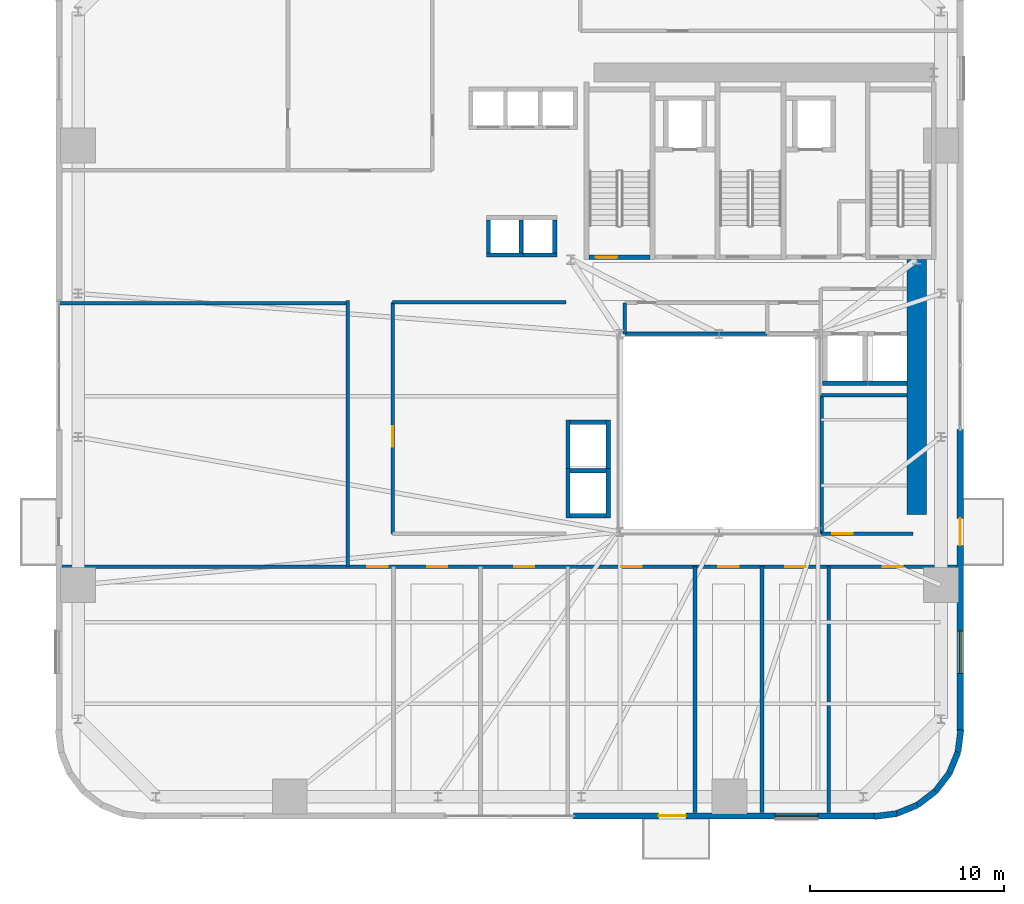
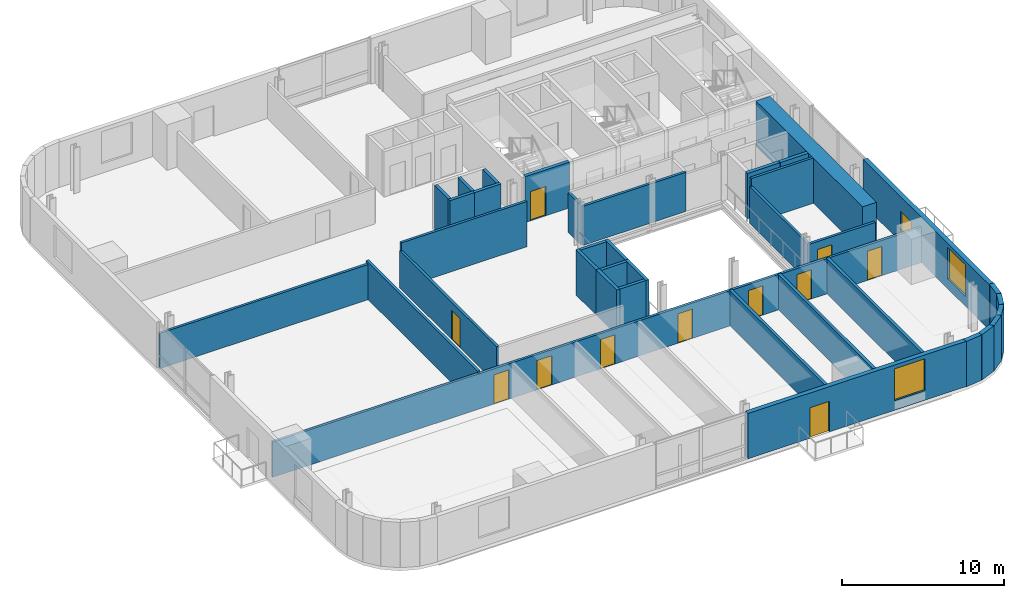
# One storey, part 6 of 13: 37 walls, 12 doors, 2 windows, 14 openings.
"""IFC4 building model written with IfcOpenShell, lengths in metres."""

from ifc_helpers import new_model, si_unit, direction, frame, frame_2d, origin, place, context, subcontext, project, spatial, rectangle, extrude, source, transform, mapped, material, layer, layer_set, type_object, element, fill, save


model = new_model("IFC4")

# Units and contexts
model_context = context("Model", 3, precision=1e-05, world=origin(), true_north=direction((0.0, 1.0)))
body_context = subcontext(model_context, "Body", "Model", "MODEL_VIEW")
ifc_project = project(units=[si_unit("LENGTHUNIT", "METRE"), si_unit("AREAUNIT", "SQUARE_METRE"), si_unit("VOLUMEUNIT", "CUBIC_METRE"), si_unit("PLANEANGLEUNIT", "RADIAN"), si_unit("MASSUNIT", "GRAM", prefix="KILO")], contexts=[model_context])

# Site, building, storey
site_placement = place(None, origin())
site = spatial("IfcSite", under=ifc_project, at=site_placement, CompositionType="ELEMENT")
building_placement = place(site_placement, origin())
building = spatial("IfcBuilding", under=site, at=building_placement, Name="Vardaveli Station Tower", CompositionType="ELEMENT")
storey_placement = place(building_placement, frame((0.0, 0.0, 82.35009765625)))
storey = spatial("IfcBuildingStorey", under=building, at=storey_placement, Name="L21", CompositionType="ELEMENT", Elevation=82.35009765625)

# Wall
ifc_material_1 = material(Name="Concrete C60/75", Category="concrete")
ifc_layer_1 = layer(ifc_material_1, 1.0, Name="Concrete C60/75")
ifc_layer_set_1 = layer_set([ifc_layer_1], Name="Concrete C60/75")
wall_type_1 = type_object("IfcWallType", Name="WAL-CORE-1000", PredefinedType="SHEAR", material=ifc_layer_set_1)
shared_shape_1 = source(origin(), body_context, "Body", "SweptSolid", [
    extrude(rectangle(XDim=13.14990234375, YDim=1.0, at=frame_2d((6.574951171875, 0.0))), origin(), (0.0, 0.0, 1.0), 3.409912109375),
])
wall_1_placement = place(storey_placement, frame((46.5, 17.5, 0.0), z_axis=(0.0, 0.0, 1.0), x_axis=(0.0, 1.0, 0.0)))
element("IfcWall", 1, at=wall_1_placement, inside=storey, type_object=wall_type_1, Name="SW-L21-EAST2", PredefinedType="SHEAR", context=body_context, shape_type="MappedRepresentation", body=[
    mapped(shared_shape_1, transform((0.0, 0.0, 0.0), scale=1.0)),
])

# Wall, openings, door, window
ifc_material_2 = material(Name="Precast concrete C45/55", Category="concrete")
ifc_layer_2 = layer(ifc_material_2, 0.320068359375, Name="Precast concrete C45/55")
ifc_layer_set_2 = layer_set([ifc_layer_2], Name="Precast concrete C45/55")
wall_type_2 = type_object("IfcWallType", Name="WAL-EXT-STONE-320", PredefinedType="SOLIDWALL", material=ifc_layer_set_2)
shared_shape_2 = source(origin(), body_context, "Body", "SweptSolid", [
    extrude(rectangle(XDim=15.599853515625, YDim=0.320068359375, at=frame_2d((7.7998046875, 0.0))), origin(), (0.0, 0.0, 1.0), 3.409912109375),
])
wall_2_placement = place(storey_placement, frame((28.800048828125, 1.9599609375, 0.0), z_axis=(0.0, 0.0, 1.0), x_axis=(1.0, 0.0, 0.0)))
wall_2 = element("IfcWall", 2, at=wall_2_placement, inside=storey, type_object=wall_type_2, Name="EW-L21-S2", PredefinedType="SOLIDWALL", context=body_context, shape_type="MappedRepresentation", body=[
    mapped(shared_shape_2, transform((0.0, 0.0, 0.0), scale=1.0)),
])
shared_shape_3 = source(origin(), body_context, "Body", "SweptSolid", [
    extrude(rectangle(XDim=1.39990234375, YDim=2.300048828125, at=frame_2d((0.699951171875, 1.14990234375))), frame((0.0, 0.169921875, 0.0), z_axis=(0.0, -1.0, 0.0), x_axis=(1.0, 0.0, 0.0)), (0.0, 0.0, 1.0), 0.340087890625),
])
opening_1_placement = place(wall_2_placement, frame((4.3896484375, 0.0, 0.0)))
opening_1 = element("IfcOpeningElement", 3, at=opening_1_placement, cuts=wall_2, Name="Opening D-09", PredefinedType="OPENING", context=body_context, shape_type="MappedRepresentation", body=[
    mapped(shared_shape_3, transform((0.0, 0.0, 0.0), scale=1.0)),
])
shared_shape_4 = source(origin(), body_context, "Body", "SweptSolid", [
    extrude(rectangle(XDim=2.199951171875, YDim=2.39990234375, at=frame_2d((1.10009765625, 1.199951171875))), frame((0.0, 0.169921875, 0.0), z_axis=(0.0, -1.0, 0.0), x_axis=(1.0, 0.0, 0.0)), (0.0, 0.0, 1.0), 0.340087890625),
])
opening_2_placement = place(wall_2_placement, frame((10.39501953125, 0.0, 0.719970703125)))
opening_2 = element("IfcOpeningElement", 4, at=opening_2_placement, cuts=wall_2, Name="Opening W-03", PredefinedType="OPENING", context=body_context, shape_type="MappedRepresentation", body=[
    mapped(shared_shape_4, transform((0.0, 0.0, 0.0), scale=1.0)),
])
ifc_material_3 = material(Name="Thermally broken aluminium glass", Category="aluminium")
door_type_1 = type_object("IfcDoorType", Name="DR-LOG-1400x2300", OperationType="DOUBLE_DOOR_SLIDING", PredefinedType="DOOR", material=ifc_material_3)
shared_shape_5 = source(origin(), body_context, "Body", "SweptSolid", [
    extrude(rectangle(XDim=1.39990234375, YDim=2.300048828125, at=frame_2d((0.699951171875, 1.14990234375))), frame((0.0, 0.02490234375, 0.0), z_axis=(0.0, -1.0, 0.0), x_axis=(1.0, 0.0, 0.0)), (0.0, 0.0, 1.0), 0.050048828125),
])
door_1_placement = place(opening_1_placement, frame((1.39990234375, 0.0, 0.0), z_axis=(0.0, 0.0, 1.0), x_axis=(-1.0, 0.0, 0.0)))
door_1 = element("IfcDoor", 5, at=door_1_placement, inside=storey, type_object=door_type_1, Name="DLG-L21-S", OperationType="DOUBLE_DOOR_SLIDING", OverallHeight=2.300048828125, OverallWidth=1.39990234375, PredefinedType="DOOR", context=body_context, shape_type="MappedRepresentation", body=[
    mapped(shared_shape_5, transform((0.0, 0.0, 0.0), scale=1.0)),
])
fill(opening_1, door_1)
ifc_material_4 = material(Name="Low-E solar-control glass", Category="glass")
window_type = type_object("IfcWindowType", Name="WIN-LOG-2200x2400", PartitioningType="SINGLE_PANEL", PredefinedType="WINDOW", material=ifc_material_4)
shared_shape_6 = source(origin(), body_context, "Body", "SweptSolid", [
    extrude(rectangle(XDim=2.199951171875, YDim=2.39990234375, at=frame_2d((1.10009765625, 1.199951171875))), frame((0.0, 0.030029296875, 0.0), z_axis=(0.0, -1.0, 0.0), x_axis=(1.0, 0.0, 0.0)), (0.0, 0.0, 1.0), 0.06005859375),
])
window_1_placement = place(opening_2_placement, origin())
window_1 = element("IfcWindow", 6, at=window_1_placement, inside=storey, type_object=window_type, Name="WN-L21-S2", OverallHeight=2.39990234375, OverallWidth=2.199951171875, PartitioningType="SINGLE_PANEL", PredefinedType="WINDOW", context=body_context, shape_type="MappedRepresentation", body=[
    mapped(shared_shape_6, transform((0.0, 0.0, 0.0), scale=1.0)),
])
fill(opening_2, window_1)

wall_3_placement = place(storey_placement, frame((48.739990234375, 6.300048828125, 0.0), z_axis=(0.0, 0.0, 1.0), x_axis=(0.0, 1.0, 0.0)))
wall_3 = element("IfcWall", 7, at=wall_3_placement, inside=storey, type_object=wall_type_2, Name="EW-L21-E1", PredefinedType="SOLIDWALL", context=body_context, shape_type="MappedRepresentation", body=[
    mapped(shared_shape_2, transform((0.0, 0.0, 0.0), scale=1.0)),
])
opening_3_placement = place(wall_3_placement, frame((9.6103515625, 0.0, 0.0)))
opening_3 = element("IfcOpeningElement", 8, at=opening_3_placement, cuts=wall_3, Name="Opening D-09", PredefinedType="OPENING", context=body_context, shape_type="MappedRepresentation", body=[
    mapped(shared_shape_3, transform((0.0, 0.0, 0.0), scale=1.0)),
])
opening_4_placement = place(wall_3_placement, frame((3.0048828125, 0.0, 0.719970703125)))
opening_4 = element("IfcOpeningElement", 9, at=opening_4_placement, cuts=wall_3, Name="Opening W-03", PredefinedType="OPENING", context=body_context, shape_type="MappedRepresentation", body=[
    mapped(shared_shape_4, transform((0.0, 0.0, 0.0), scale=1.0)),
])
door_2_placement = place(opening_3_placement, frame((1.39990234375, 0.0, 0.0), z_axis=(0.0, 0.0, 1.0), x_axis=(-1.0, 0.0, 0.0)))
door_2 = element("IfcDoor", 10, at=door_2_placement, inside=storey, type_object=door_type_1, Name="DLG-L21-E", OperationType="DOUBLE_DOOR_SLIDING", OverallHeight=2.300048828125, OverallWidth=1.39990234375, PredefinedType="DOOR", context=body_context, shape_type="MappedRepresentation", body=[
    mapped(shared_shape_5, transform((0.0, 0.0, 0.0), scale=1.0)),
])
fill(opening_3, door_2)
window_2_placement = place(opening_4_placement, origin())
window_2 = element("IfcWindow", 11, at=window_2_placement, inside=storey, type_object=window_type, Name="WN-L21-E1", OverallHeight=2.39990234375, OverallWidth=2.199951171875, PartitioningType="SINGLE_PANEL", PredefinedType="WINDOW", context=body_context, shape_type="MappedRepresentation", body=[
    mapped(shared_shape_6, transform((0.0, 0.0, 0.0), scale=1.0)),
])
fill(opening_4, window_2)

# Walls
shared_shape_7 = source(origin(), body_context, "Body", "SweptSolid", [
    extrude(rectangle(XDim=1.170654296875, YDim=0.320068359375, at=frame_2d((0.58544921875, 0.0))), origin(), (0.0, 0.0, 1.0), 3.409912109375),
])
wall_4_placement = place(storey_placement, frame((48.62548828125, 5.23974609375, 0.0), z_axis=(0.0, 0.0, 1.0), x_axis=(0.128269133229, 0.991739395941, 0.0)))
element("IfcWall", 12, at=wall_4_placement, inside=storey, type_object=wall_type_2, Name="EW-L21-CR2-6", PredefinedType="SOLIDWALL", context=body_context, shape_type="MappedRepresentation", body=[
    mapped(shared_shape_7, transform((0.0, 0.0, 0.0), scale=1.0)),
])
shared_shape_8 = source(origin(), body_context, "Body", "SweptSolid", [
    extrude(rectangle(XDim=1.1689453125, YDim=0.320068359375, at=frame_2d((0.58447265625, 0.0))), origin(), (0.0, 0.0, 1.0), 3.409912109375),
])
for number, where, z_axis, x_axis, name in (
    (13, (47.46875, 3.231201171875, 0.0), (0.0, 0.0, 1.0), (0.608387696831, 0.793639975269, 0.0), "EW-L21-CR2-4"),
    (14, (48.179931640625, 4.158935546875, 0.0), (0.0, 0.0, 1.0), (0.381127904695, 0.924522320046, 0.0), "EW-L21-CR2-5"),
):
    element("IfcWall", number, at=place(storey_placement, frame(where, z_axis=z_axis, x_axis=x_axis)), inside=storey, type_object=wall_type_2, Name=name, PredefinedType="SOLIDWALL", context=body_context, shape_type="MappedRepresentation", body=[
        mapped(shared_shape_8, transform((0.0, 0.0, 0.0), scale=1.0)),
    ])
shared_shape_9 = source(origin(), body_context, "Body", "SweptSolid", [
    extrude(rectangle(XDim=1.168701171875, YDim=0.320068359375, at=frame_2d((0.58447265625, 0.0))), origin(), (0.0, 0.0, 1.0), 3.409912109375),
])
wall_5_placement = place(storey_placement, frame((46.541259765625, 2.520263671875, 0.0), z_axis=(0.0, 0.0, 1.0), x_axis=(0.793663520347, 0.608356981114, 0.0)))
element("IfcWall", 15, at=wall_5_placement, inside=storey, type_object=wall_type_2, Name="EW-L21-CR2-3", PredefinedType="SOLIDWALL", context=body_context, shape_type="MappedRepresentation", body=[
    mapped(shared_shape_9, transform((0.0, 0.0, 0.0), scale=1.0)),
])
shared_shape_10 = source(origin(), body_context, "Body", "SweptSolid", [
    extrude(rectangle(XDim=1.16943359375, YDim=0.320068359375, at=frame_2d((0.584716796875, 0.0))), origin(), (0.0, 0.0, 1.0), 3.409912109375),
])
wall_6_placement = place(storey_placement, frame((45.460205078125, 2.074462890625, 0.0), z_axis=(0.0, 0.0, 1.0), x_axis=(0.924479075121, 0.381232789334, 0.0)))
element("IfcWall", 16, at=wall_6_placement, inside=storey, type_object=wall_type_2, Name="EW-L21-CR2-2", PredefinedType="SOLIDWALL", context=body_context, shape_type="MappedRepresentation", body=[
    mapped(shared_shape_10, transform((0.0, 0.0, 0.0), scale=1.0)),
])
shared_shape_11 = source(origin(), body_context, "Body", "SweptSolid", [
    extrude(rectangle(XDim=1.170166015625, YDim=0.320068359375, at=frame_2d((0.5849609375, 0.0))), origin(), (0.0, 0.0, 1.0), 3.409912109375),
])
wall_7_placement = place(storey_placement, frame((44.299560546875, 1.924560546875, 0.0), z_axis=(0.0, 0.0, 1.0), x_axis=(0.991762485493, 0.128090485085, 0.0)))
element("IfcWall", 17, at=wall_7_placement, inside=storey, type_object=wall_type_2, Name="EW-L21-CR2-1", PredefinedType="SOLIDWALL", context=body_context, shape_type="MappedRepresentation", body=[
    mapped(shared_shape_11, transform((0.0, 0.0, 0.0), scale=1.0)),
])

# Wall, opening, door
ifc_material_5 = material(Name="Concrete C40/50", Category="concrete")
ifc_layer_3 = layer(ifc_material_5, 0.25, Name="Concrete C40/50")
ifc_layer_set_3 = layer_set([ifc_layer_3], Name="Concrete C40/50")
wall_type_3 = type_object("IfcWallType", Name="WAL-SHAFT-250", PredefinedType="SOLIDWALL", material=ifc_layer_set_3)
shared_shape_12 = source(origin(), body_context, "Body", "SweptSolid", [
    extrude(rectangle(XDim=3.14990234375, YDim=0.25, at=frame_2d((1.574951171875, 0.0))), origin(), (0.0, 0.0, 1.0), 3.449951171875),
])
wall_8_placement = place(storey_placement, frame((29.60009765625, 30.77490234375, 0.0), z_axis=(0.0, 0.0, 1.0), x_axis=(1.0, 0.0, 0.0)))
wall_8 = element("IfcWall", 18, at=wall_8_placement, inside=storey, type_object=wall_type_3, Name="W-L21-ST-1S", PredefinedType="SOLIDWALL", context=body_context, shape_type="MappedRepresentation", body=[
    mapped(shared_shape_12, transform((0.0, 0.0, 0.0), scale=1.0)),
])
shared_shape_13 = source(origin(), body_context, "Body", "SweptSolid", [
    extrude(rectangle(XDim=1.10009765625, YDim=2.199951171875, at=frame_2d((0.550048828125, 1.10009765625))), frame((0.0, 0.135009765625, 0.0), z_axis=(0.0, -1.0, 0.0), x_axis=(1.0, 0.0, 0.0)), (0.0, 0.0, 1.0), 0.27001953125),
])
opening_5_placement = place(wall_8_placement, frame((0.35009765625, 0.0, 0.0)))
opening_5 = element("IfcOpeningElement", 19, at=opening_5_placement, cuts=wall_8, Name="Opening D-04", PredefinedType="OPENING", context=body_context, shape_type="MappedRepresentation", body=[
    mapped(shared_shape_13, transform((0.0, 0.0, 0.0), scale=1.0)),
])
ifc_material_6 = material(Name="Steel smokeproof fire doorset", Category="steel")
door_type_2 = type_object("IfcDoorType", Name="DR-ST-1100x2200", OperationType="NOTDEFINED", PredefinedType="DOOR", material=ifc_material_6)
shared_shape_14 = source(origin(), body_context, "Body", "SweptSolid", [
    extrude(rectangle(XDim=1.10009765625, YDim=2.199951171875, at=frame_2d((0.550048828125, 1.10009765625))), frame((0.0, 0.02490234375, 0.0), z_axis=(0.0, -1.0, 0.0), x_axis=(1.0, 0.0, 0.0)), (0.0, 0.0, 1.0), 0.050048828125),
])
door_3_placement = place(opening_5_placement, origin())
door_3 = element("IfcDoor", 20, at=door_3_placement, inside=storey, type_object=door_type_2, Name="DST-1-L21", OperationType="SINGLE_SWING_LEFT", OverallHeight=2.199951171875, OverallWidth=1.10009765625, PredefinedType="DOOR", context=body_context, shape_type="MappedRepresentation", body=[
    mapped(shared_shape_14, transform((0.0, 0.0, 0.0), scale=1.0)),
])
fill(opening_5, door_3)

# Walls
ifc_layer_4 = layer(ifc_material_5, 0.219970703125, Name="Concrete C40/50")
ifc_layer_set_4 = layer_set([ifc_layer_4], Name="Concrete C40/50")
wall_type_4 = type_object("IfcWallType", Name="WAL-FFLOBBY-220", PredefinedType="SOLIDWALL", material=ifc_layer_set_4)
shared_shape_15 = source(origin(), body_context, "Body", "SweptSolid", [
    extrude(rectangle(XDim=1.89013671875, YDim=0.219970703125, at=frame_2d((0.945068359375, 0.0))), origin(), (0.0, 0.0, 1.0), 3.409912109375),
])
for number, where, z_axis, x_axis, name in (
    (21, (24.304931640625, 30.889892578125, 0.0), (0.0, 0.0, 1.0), (1.0, 0.0, 0.0), "SHW-SHU-01-L21-S"),
    (22, (26.054931640625, 30.889892578125, 0.0), (0.0, 0.0, 1.0), (1.0, 0.0, 0.0), "SHW-SHU-02-L21-S"),
):
    element("IfcWall", number, at=place(storey_placement, frame(where, z_axis=z_axis, x_axis=x_axis)), inside=storey, type_object=wall_type_4, Name=name, PredefinedType="SOLIDWALL", context=body_context, shape_type="MappedRepresentation", body=[
        mapped(shared_shape_15, transform((0.0, 0.0, 0.0), scale=1.0)),
    ])
shared_shape_16 = source(origin(), body_context, "Body", "SweptSolid", [
    extrude(rectangle(XDim=1.699951171875, YDim=0.219970703125, at=frame_2d((0.85009765625, 0.0))), origin(), (0.0, 0.0, 1.0), 3.409912109375),
])
for number, where, z_axis, x_axis, name in (
    (23, (24.4150390625, 31.0, 0.0), (0.0, 0.0, 1.0), (0.0, 1.0, 0.0), "SHW-SHU-01-L21-W"),
    (24, (26.0849609375, 31.0, 0.0), (0.0, 0.0, 1.0), (0.0, 1.0, 0.0), "SHW-SHU-01-L21-E"),
    (25, (27.8349609375, 31.0, 0.0), (0.0, 0.0, 1.0), (0.0, 1.0, 0.0), "SHW-SHU-02-L21-E"),
):
    element("IfcWall", number, at=place(storey_placement, frame(where, z_axis=z_axis, x_axis=x_axis)), inside=storey, type_object=wall_type_4, Name=name, PredefinedType="SOLIDWALL", context=body_context, shape_type="MappedRepresentation", body=[
        mapped(shared_shape_16, transform((0.0, 0.0, 0.0), scale=1.0)),
    ])
shared_shape_17 = source(origin(), body_context, "Body", "SweptSolid", [
    extrude(rectangle(XDim=1.85009765625, YDim=0.219970703125, at=frame_2d((0.925048828125, 0.0))), origin(), (0.0, 0.0, 1.0), 3.409912109375),
])
for number, where, z_axis, x_axis, name in (
    (26, (28.625, 17.43994140625, 0.0), (0.0, 0.0, 1.0), (1.0, 0.0, 0.0), "SHW-OBS-01-L21-S"),
    (27, (28.625, 19.760009765625, 0.0), (0.0, 0.0, 1.0), (1.0, 0.0, 0.0), "SHW-OBS-01-L21-N"),
    (28, (28.625, 22.260009765625, 0.0), (0.0, 0.0, 1.0), (1.0, 0.0, 0.0), "SHW-OBS-02-L21-N"),
):
    element("IfcWall", number, at=place(storey_placement, frame(where, z_axis=z_axis, x_axis=x_axis)), inside=storey, type_object=wall_type_4, Name=name, PredefinedType="SOLIDWALL", context=body_context, shape_type="MappedRepresentation", body=[
        mapped(shared_shape_17, transform((0.0, 0.0, 0.0), scale=1.0)),
    ])
shared_shape_18 = source(origin(), body_context, "Body", "SweptSolid", [
    extrude(rectangle(XDim=2.5400390625, YDim=0.219970703125, at=frame_2d((1.27001953125, 0.0))), origin(), (0.0, 0.0, 1.0), 3.409912109375),
])
for number, where, z_axis, x_axis, name in (
    (29, (28.514892578125, 17.330078125, 0.0), (0.0, 0.0, 1.0), (0.0, 1.0, 0.0), "SHW-OBS-01-L21-W"),
    (30, (30.5849609375, 17.330078125, 0.0), (0.0, 0.0, 1.0), (0.0, 1.0, 0.0), "SHW-OBS-01-L21-E"),
    (31, (28.514892578125, 19.830078125, 0.0), (0.0, 0.0, 1.0), (0.0, 1.0, 0.0), "SHW-OBS-02-L21-W"),
    (32, (30.5849609375, 19.830078125, 0.0), (0.0, 0.0, 1.0), (0.0, 1.0, 0.0), "SHW-OBS-02-L21-E"),
):
    element("IfcWall", number, at=place(storey_placement, frame(where, z_axis=z_axis, x_axis=x_axis)), inside=storey, type_object=wall_type_4, Name=name, PredefinedType="SOLIDWALL", context=body_context, shape_type="MappedRepresentation", body=[
        mapped(shared_shape_18, transform((0.0, 0.0, 0.0), scale=1.0)),
    ])
shared_shape_19 = source(origin(), body_context, "Body", "SweptSolid", [
    extrude(rectangle(XDim=2.300048828125, YDim=0.25, at=frame_2d((1.14990234375, 0.0))), origin(), (0.0, 0.0, 1.0), 3.409912109375),
])
wall_9_placement = place(storey_placement, frame((41.64990234375, 24.27490234375, 0.0), z_axis=(0.0, 0.0, 1.0), x_axis=(1.0, 0.0, 0.0)))
element("IfcWall", 33, at=wall_9_placement, inside=storey, type_object=wall_type_3, Name="SHW-SRV-01-L21-S", PredefinedType="SOLIDWALL", context=body_context, shape_type="MappedRepresentation", body=[
    mapped(shared_shape_19, transform((0.0, 0.0, 0.0), scale=1.0)),
])
shared_shape_20 = source(origin(), body_context, "Body", "SweptSolid", [
    extrude(rectangle(XDim=2.0, YDim=0.25, at=frame_2d((1.0, 0.0))), origin(), (0.0, 0.0, 1.0), 3.409912109375),
])
wall_10_placement = place(storey_placement, frame((44.0, 24.27490234375, 0.0), z_axis=(0.0, 0.0, 1.0), x_axis=(1.0, 0.0, 0.0)))
element("IfcWall", 34, at=wall_10_placement, inside=storey, type_object=wall_type_3, Name="SHW-SRV-02-L21-S", PredefinedType="SOLIDWALL", context=body_context, shape_type="MappedRepresentation", body=[
    mapped(shared_shape_20, transform((0.0, 0.0, 0.0), scale=1.0)),
])

# Wall, openings, doors
ifc_material_7 = material(Name="Fire-rated gypsum stud partition")
ifc_layer_5 = layer(ifc_material_7, 0.179931640625, Name="Fire-rated gypsum stud partition")
ifc_layer_set_5 = layer_set([ifc_layer_5], Name="Fire-rated gypsum stud partition")
wall_type_5 = type_object("IfcWallType", Name="WAL-CORR-180", PredefinedType="PARTITIONING", material=ifc_layer_set_5)
shared_shape_21 = source(origin(), body_context, "Body", "SweptSolid", [
    extrude(rectangle(XDim=46.15576171875, YDim=0.179931640625, at=frame_2d((23.077880859375, 0.0))), origin(), (0.0, 0.0, 1.0), 2.65185546875),
])
wall_11_placement = place(storey_placement, frame((2.422119140625, 14.81005859375, 0.0), z_axis=(0.0, 0.0, 1.0), x_axis=(1.0, 0.0, 0.0)))
wall_11 = element("IfcWall", 35, at=wall_11_placement, inside=storey, type_object=wall_type_5, Name="W-L21-CS", PredefinedType="PARTITIONING", context=body_context, shape_type="MappedRepresentation", body=[
    mapped(shared_shape_21, transform((0.0, 0.0, 0.0), scale=1.0)),
])
shared_shape_22 = source(origin(), body_context, "Body", "SweptSolid", [
    extrude(rectangle(XDim=1.050048828125, YDim=2.199951171875, at=frame_2d((0.52490234375, 1.10009765625))), frame((0.0, 0.10009765625, 0.0), z_axis=(0.0, -1.0, 0.0), x_axis=(1.0, 0.0, 0.0)), (0.0, 0.0, 1.0), 0.199951171875),
])
opening_6_placement = place(wall_11_placement, frame((15.748046875, 0.0, 0.0)))
opening_6 = element("IfcOpeningElement", 36, at=opening_6_placement, cuts=wall_11, Name="Opening D-05", PredefinedType="OPENING", context=body_context, shape_type="MappedRepresentation", body=[
    mapped(shared_shape_22, transform((0.0, 0.0, 0.0), scale=1.0)),
])
opening_7_placement = place(wall_11_placement, frame((18.822509765625, 0.0, 0.0)))
opening_7 = element("IfcOpeningElement", 37, at=opening_7_placement, cuts=wall_11, Name="Opening D-05", PredefinedType="OPENING", context=body_context, shape_type="MappedRepresentation", body=[
    mapped(shared_shape_22, transform((0.0, 0.0, 0.0), scale=1.0)),
])
opening_8_placement = place(wall_11_placement, frame((23.311279296875, 0.0, 0.0)))
opening_8 = element("IfcOpeningElement", 38, at=opening_8_placement, cuts=wall_11, Name="Opening D-05", PredefinedType="OPENING", context=body_context, shape_type="MappedRepresentation", body=[
    mapped(shared_shape_22, transform((0.0, 0.0, 0.0), scale=1.0)),
])
opening_9_placement = place(wall_11_placement, frame((28.839111328125, 0.0, 0.0)))
opening_9 = element("IfcOpeningElement", 39, at=opening_9_placement, cuts=wall_11, Name="Opening D-05", PredefinedType="OPENING", context=body_context, shape_type="MappedRepresentation", body=[
    mapped(shared_shape_22, transform((0.0, 0.0, 0.0), scale=1.0)),
])
opening_10_placement = place(wall_11_placement, frame((33.847412109375, 0.0, 0.0)))
opening_10 = element("IfcOpeningElement", 40, at=opening_10_placement, cuts=wall_11, Name="Opening D-05", PredefinedType="OPENING", context=body_context, shape_type="MappedRepresentation", body=[
    mapped(shared_shape_22, transform((0.0, 0.0, 0.0), scale=1.0)),
])
opening_11_placement = place(wall_11_placement, frame((37.29736328125, 0.0, 0.0)))
opening_11 = element("IfcOpeningElement", 41, at=opening_11_placement, cuts=wall_11, Name="Opening D-05", PredefinedType="OPENING", context=body_context, shape_type="MappedRepresentation", body=[
    mapped(shared_shape_22, transform((0.0, 0.0, 0.0), scale=1.0)),
])
opening_12_placement = place(wall_11_placement, frame((42.315185546875, 0.0, 0.0)))
opening_12 = element("IfcOpeningElement", 42, at=opening_12_placement, cuts=wall_11, Name="Opening D-05", PredefinedType="OPENING", context=body_context, shape_type="MappedRepresentation", body=[
    mapped(shared_shape_22, transform((0.0, 0.0, 0.0), scale=1.0)),
])
ifc_material_8 = material(Name="Walnut veneer acoustic fire door")
door_type_3 = type_object("IfcDoorType", Name="DR-SUITE-1050x2200", OperationType="NOTDEFINED", PredefinedType="DOOR", material=ifc_material_8)
shared_shape_23 = source(origin(), body_context, "Body", "SweptSolid", [
    extrude(rectangle(XDim=1.050048828125, YDim=2.199951171875, at=frame_2d((0.52490234375, 1.10009765625))), frame((0.0, 0.02490234375, 0.0), z_axis=(0.0, -1.0, 0.0), x_axis=(1.0, 0.0, 0.0)), (0.0, 0.0, 1.0), 0.050048828125),
])
door_4_placement = place(opening_6_placement, origin())
door_4 = element("IfcDoor", 43, at=door_4_placement, inside=storey, type_object=door_type_3, Name="D-L21-SA1", OperationType="SINGLE_SWING_RIGHT", OverallHeight=2.199951171875, OverallWidth=1.050048828125, PredefinedType="DOOR", context=body_context, shape_type="MappedRepresentation", body=[
    mapped(shared_shape_23, transform((0.0, 0.0, 0.0), scale=1.0)),
])
fill(opening_6, door_4)
door_5_placement = place(opening_7_placement, origin())
door_5 = element("IfcDoor", 44, at=door_5_placement, inside=storey, type_object=door_type_3, Name="D-L21-SA2", OperationType="SINGLE_SWING_LEFT", OverallHeight=2.199951171875, OverallWidth=1.050048828125, PredefinedType="DOOR", context=body_context, shape_type="MappedRepresentation", body=[
    mapped(shared_shape_23, transform((0.0, 0.0, 0.0), scale=1.0)),
])
fill(opening_7, door_5)
door_6_placement = place(opening_8_placement, origin())
door_6 = element("IfcDoor", 45, at=door_6_placement, inside=storey, type_object=door_type_3, Name="D-L21-SA3", OperationType="SINGLE_SWING_RIGHT", OverallHeight=2.199951171875, OverallWidth=1.050048828125, PredefinedType="DOOR", context=body_context, shape_type="MappedRepresentation", body=[
    mapped(shared_shape_23, transform((0.0, 0.0, 0.0), scale=1.0)),
])
fill(opening_8, door_6)
door_7_placement = place(opening_9_placement, origin())
door_7 = element("IfcDoor", 46, at=door_7_placement, inside=storey, type_object=door_type_3, Name="D-L21-SA4", OperationType="SINGLE_SWING_LEFT", OverallHeight=2.199951171875, OverallWidth=1.050048828125, PredefinedType="DOOR", context=body_context, shape_type="MappedRepresentation", body=[
    mapped(shared_shape_23, transform((0.0, 0.0, 0.0), scale=1.0)),
])
fill(opening_9, door_7)
door_8_placement = place(opening_10_placement, origin())
door_8 = element("IfcDoor", 47, at=door_8_placement, inside=storey, type_object=door_type_3, Name="D-L21-SA5", OperationType="SINGLE_SWING_RIGHT", OverallHeight=2.199951171875, OverallWidth=1.050048828125, PredefinedType="DOOR", context=body_context, shape_type="MappedRepresentation", body=[
    mapped(shared_shape_23, transform((0.0, 0.0, 0.0), scale=1.0)),
])
fill(opening_10, door_8)
door_9_placement = place(opening_11_placement, origin())
door_9 = element("IfcDoor", 48, at=door_9_placement, inside=storey, type_object=door_type_3, Name="D-L21-SA6", OperationType="SINGLE_SWING_LEFT", OverallHeight=2.199951171875, OverallWidth=1.050048828125, PredefinedType="DOOR", context=body_context, shape_type="MappedRepresentation", body=[
    mapped(shared_shape_23, transform((0.0, 0.0, 0.0), scale=1.0)),
])
fill(opening_11, door_9)
door_10_placement = place(opening_12_placement, origin())
door_10 = element("IfcDoor", 49, at=door_10_placement, inside=storey, type_object=door_type_3, Name="D-L21-SA7", OperationType="SINGLE_SWING_RIGHT", OverallHeight=2.199951171875, OverallWidth=1.050048828125, PredefinedType="DOOR", context=body_context, shape_type="MappedRepresentation", body=[
    mapped(shared_shape_23, transform((0.0, 0.0, 0.0), scale=1.0)),
])
fill(opening_12, door_10)

# Wall, opening, door
shared_shape_24 = source(origin(), body_context, "Body", "SweptSolid", [
    extrude(rectangle(XDim=11.93994140625, YDim=0.179931640625, at=frame_2d((5.969970703125, 0.0))), origin(), (0.0, 0.0, 1.0), 2.802001953125),
])
wall_12_placement = place(storey_placement, frame((19.469970703125, 16.5, 0.0), z_axis=(0.0, 0.0, 1.0), x_axis=(0.0, 1.0, 0.0)))
wall_12 = element("IfcWall", 50, at=wall_12_placement, inside=storey, type_object=wall_type_5, Name="W-L21-ATW-W", PredefinedType="PARTITIONING", context=body_context, shape_type="MappedRepresentation", body=[
    mapped(shared_shape_24, transform((0.0, 0.0, 0.0), scale=1.0)),
])
opening_13_placement = place(wall_12_placement, frame((4.5, 0.0, 0.0)))
opening_13 = element("IfcOpeningElement", 51, at=opening_13_placement, cuts=wall_12, Name="Opening D-05", PredefinedType="OPENING", context=body_context, shape_type="MappedRepresentation", body=[
    mapped(shared_shape_22, transform((0.0, 0.0, 0.0), scale=1.0)),
])
door_11_placement = place(opening_13_placement, origin())
door_11 = element("IfcDoor", 52, at=door_11_placement, inside=storey, type_object=door_type_3, Name="D-L21-ATW1", OperationType="SINGLE_SWING_LEFT", OverallHeight=2.199951171875, OverallWidth=1.050048828125, PredefinedType="DOOR", context=body_context, shape_type="MappedRepresentation", body=[
    mapped(shared_shape_23, transform((0.0, 0.0, 0.0), scale=1.0)),
])
fill(opening_13, door_11)

shared_shape_25 = source(origin(), body_context, "Body", "SweptSolid", [
    extrude(rectangle(XDim=4.699951171875, YDim=0.179931640625, at=frame_2d((2.35009765625, 0.0))), origin(), (0.0, 0.0, 1.0), 2.802001953125),
])
wall_13_placement = place(storey_placement, frame((41.60009765625, 16.5, 0.0), z_axis=(0.0, 0.0, 1.0), x_axis=(1.0, 0.0, 0.0)))
wall_13 = element("IfcWall", 53, at=wall_13_placement, inside=storey, type_object=wall_type_5, Name="W-L21-ATE-S", PredefinedType="PARTITIONING", context=body_context, shape_type="MappedRepresentation", body=[
    mapped(shared_shape_25, transform((0.0, 0.0, 0.0), scale=1.0)),
])
opening_14_placement = place(wall_13_placement, frame((0.550048828125, 0.0, 0.0)))
opening_14 = element("IfcOpeningElement", 54, at=opening_14_placement, cuts=wall_13, Name="Opening D-05", PredefinedType="OPENING", context=body_context, shape_type="MappedRepresentation", body=[
    mapped(shared_shape_22, transform((0.0, 0.0, 0.0), scale=1.0)),
])
door_12_placement = place(opening_14_placement, origin())
door_12 = element("IfcDoor", 55, at=door_12_placement, inside=storey, type_object=door_type_3, Name="D-L21-ATE1", OperationType="SINGLE_SWING_RIGHT", OverallHeight=2.199951171875, OverallWidth=1.050048828125, PredefinedType="DOOR", context=body_context, shape_type="MappedRepresentation", body=[
    mapped(shared_shape_23, transform((0.0, 0.0, 0.0), scale=1.0)),
])
fill(opening_14, door_12)

# Walls
shared_shape_26 = source(origin(), body_context, "Body", "SweptSolid", [
    extrude(rectangle(XDim=7.330078125, YDim=0.179931640625, at=frame_2d((3.6650390625, 0.0))), origin(), (0.0, 0.0, 1.0), 2.951904296875),
])
wall_14_placement = place(storey_placement, frame((31.449951171875, 26.820068359375, 0.0), z_axis=(0.0, 0.0, 1.0), x_axis=(1.0, 0.0, 0.0)))
element("IfcWall", 56, at=wall_14_placement, inside=storey, type_object=wall_type_5, Name="W-L21-HKP0-S", PredefinedType="PARTITIONING", context=body_context, shape_type="MappedRepresentation", body=[
    mapped(shared_shape_26, transform((0.0, 0.0, 0.0), scale=1.0)),
])
shared_shape_27 = source(origin(), body_context, "Body", "SweptSolid", [
    extrude(rectangle(XDim=7.14990234375, YDim=0.179931640625, at=frame_2d((3.574951171875, 0.0))), origin(), (0.0, 0.0, 1.0), 2.802001953125),
])
wall_15_placement = place(storey_placement, frame((41.60009765625, 16.5, 0.0), z_axis=(0.0, 0.0, 1.0), x_axis=(0.0, 1.0, 0.0)))
element("IfcWall", 57, at=wall_15_placement, inside=storey, type_object=wall_type_5, Name="W-L21-ATE-W", PredefinedType="PARTITIONING", context=body_context, shape_type="MappedRepresentation", body=[
    mapped(shared_shape_27, transform((0.0, 0.0, 0.0), scale=1.0)),
])
shared_shape_28 = source(origin(), body_context, "Body", "SweptSolid", [
    extrude(rectangle(XDim=4.39794921875, YDim=0.179931640625, at=frame_2d((2.198974609375, 0.0))), origin(), (0.0, 0.0, 1.0), 3.409912109375),
])
wall_16_placement = place(storey_placement, frame((41.60009765625, 23.64990234375, 0.0), z_axis=(0.0, 0.0, 1.0), x_axis=(1.0, 0.0, 0.0)))
element("IfcWall", 58, at=wall_16_placement, inside=storey, type_object=wall_type_5, Name="W-L21-ATE-N", PredefinedType="PARTITIONING", context=body_context, shape_type="MappedRepresentation", body=[
    mapped(shared_shape_28, transform((0.0, 0.0, 0.0), scale=1.0)),
])
shared_shape_29 = source(origin(), body_context, "Body", "SweptSolid", [
    extrude(rectangle(XDim=1.599853515625, YDim=0.179931640625, at=frame_2d((0.7998046875, 0.0))), origin(), (0.0, 0.0, 1.0), 2.951904296875),
])
wall_17_placement = place(storey_placement, frame((31.449951171875, 26.820068359375, 0.0), z_axis=(0.0, 0.0, 1.0), x_axis=(0.0, 1.0, 0.0)))
element("IfcWall", 59, at=wall_17_placement, inside=storey, type_object=wall_type_5, Name="W-L21-HKP0-W", PredefinedType="PARTITIONING", context=body_context, shape_type="MappedRepresentation", body=[
    mapped(shared_shape_29, transform((0.0, 0.0, 0.0), scale=1.0)),
])
shared_shape_30 = source(origin(), body_context, "Body", "SweptSolid", [
    extrude(rectangle(XDim=14.919921875, YDim=0.179931640625, at=frame_2d((7.4599609375, 0.0))), origin(), (0.0, 0.0, 1.0), 2.65185546875),
])
wall_18_placement = place(storey_placement, frame((2.22998046875, 28.39990234375, 0.0), z_axis=(0.0, 0.0, 1.0), x_axis=(1.0, 0.0, 0.0)))
element("IfcWall", 60, at=wall_18_placement, inside=storey, type_object=wall_type_5, Name="W-L21-CWN", PredefinedType="PARTITIONING", context=body_context, shape_type="MappedRepresentation", body=[
    mapped(shared_shape_30, transform((0.0, 0.0, 0.0), scale=1.0)),
])
shared_shape_31 = source(origin(), body_context, "Body", "SweptSolid", [
    extrude(rectangle(XDim=13.739990234375, YDim=0.179931640625, at=frame_2d((6.8701171875, 0.0))), origin(), (0.0, 0.0, 1.0), 2.802001953125),
])
wall_19_placement = place(storey_placement, frame((17.14990234375, 14.81005859375, 0.0), z_axis=(0.0, 0.0, 1.0), x_axis=(0.0, 1.0, 0.0)))
element("IfcWall", 61, at=wall_19_placement, inside=storey, type_object=wall_type_5, Name="W-L21-CW", PredefinedType="PARTITIONING", context=body_context, shape_type="MappedRepresentation", body=[
    mapped(shared_shape_31, transform((0.0, 0.0, 0.0), scale=1.0)),
])
ifc_material_9 = material(Name="Acoustic twin-stud gypsum partition")
ifc_layer_6 = layer(ifc_material_9, 0.199951171875, Name="Acoustic twin-stud gypsum partition")
ifc_layer_set_6 = layer_set([ifc_layer_6], Name="Acoustic twin-stud gypsum partition")
wall_type_6 = type_object("IfcWallType", Name="WAL-PARTY-200", PredefinedType="PARTITIONING", material=ifc_layer_set_6)
shared_shape_32 = source(origin(), body_context, "Body", "SweptSolid", [
    extrude(rectangle(XDim=12.68798828125, YDim=0.199951171875, at=frame_2d((6.343994140625, 0.0))), origin(), (0.0, 0.0, 1.0), 2.65185546875),
])
for number, where, z_axis, x_axis, name in (
    (62, (35.06396484375, 2.1220703125, 0.0), (0.0, 0.0, 1.0), (0.0, 1.0, 0.0), "W-L21-PS4"),
    (63, (38.513916015625, 2.1220703125, 0.0), (0.0, 0.0, 1.0), (0.0, 1.0, 0.0), "W-L21-PS5"),
    (64, (41.964111328125, 2.1220703125, 0.0), (0.0, 0.0, 1.0), (0.0, 1.0, 0.0), "W-L21-PS6"),
):
    element("IfcWall", number, at=place(storey_placement, frame(where, z_axis=z_axis, x_axis=x_axis)), inside=storey, type_object=wall_type_6, Name=name, PredefinedType="PARTITIONING", context=body_context, shape_type="MappedRepresentation", body=[
        mapped(shared_shape_32, transform((0.0, 0.0, 0.0), scale=1.0)),
    ])
shared_shape_33 = source(origin(), body_context, "Body", "SweptSolid", [
    extrude(rectangle(XDim=8.929931640625, YDim=0.179931640625, at=frame_2d((4.46484375, 0.0))), origin(), (0.0, 0.0, 1.0), 3.409912109375),
])
wall_20_placement = place(storey_placement, frame((19.469970703125, 28.43994140625, 0.0), z_axis=(0.0, 0.0, 1.0), x_axis=(1.0, 0.0, 0.0)))
element("IfcWall", 65, at=wall_20_placement, inside=storey, type_object=wall_type_5, Name="W-L21-ATW-N", PredefinedType="PARTITIONING", context=body_context, shape_type="MappedRepresentation", body=[
    mapped(shared_shape_33, transform((0.0, 0.0, 0.0), scale=1.0)),
])

save(model, "model.ifc")
